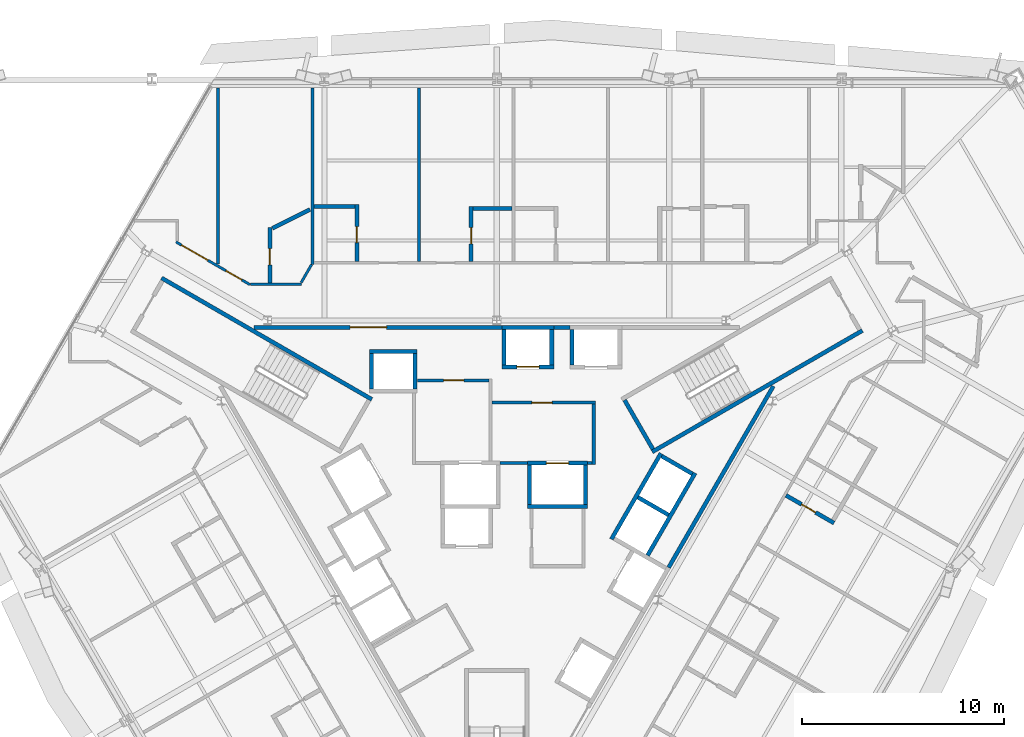
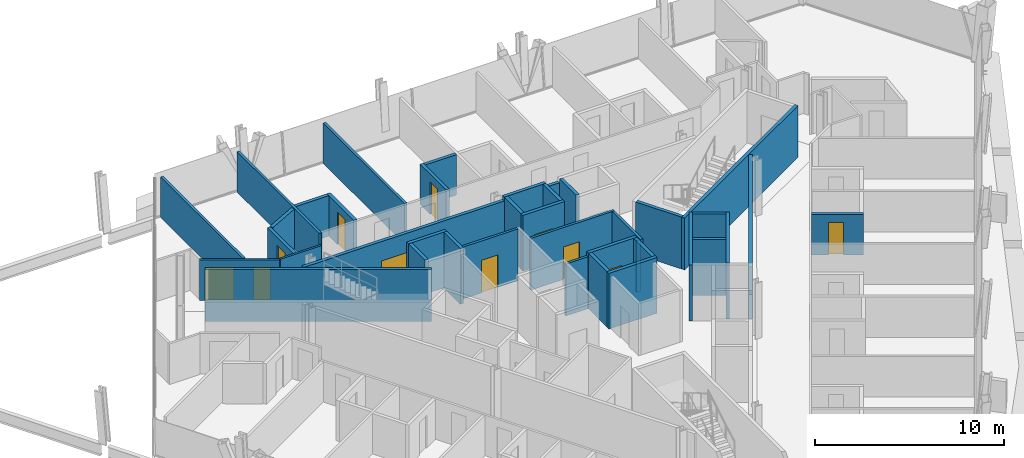
# One storey, part 13 of 17: 40 walls, 11 doors, 11 openings.
"""IFC4 building model written with IfcOpenShell, lengths in metres."""

from ifc_helpers import new_model, si_unit, direction, frame, frame_2d, origin, place, context, subcontext, project, spatial, rectangle, extrude, material, layer, layer_set, type_object, element, fill, save


model = new_model("IFC4")

# Units and contexts
model_context = context("Model", 3, precision=1e-05, world=origin(), true_north=direction((0.0, 1.0)))
body_context = subcontext(model_context, "Body", "Model", "MODEL_VIEW")
ifc_project = project(units=[si_unit("LENGTHUNIT", "METRE"), si_unit("AREAUNIT", "SQUARE_METRE"), si_unit("VOLUMEUNIT", "CUBIC_METRE"), si_unit("PLANEANGLEUNIT", "RADIAN"), si_unit("MASSUNIT", "GRAM", prefix="KILO")], contexts=[model_context])

# Site, building, storey
site_placement = place(None, origin())
site = spatial("IfcSite", under=ifc_project, at=site_placement, CompositionType="ELEMENT")
building_placement = place(site_placement, origin())
building = spatial("IfcBuilding", under=site, at=building_placement, Name="Verrane Prism Tower", CompositionType="ELEMENT")
storey_placement = place(building_placement, frame((0.0, 0.0, 62.0)))
storey = spatial("IfcBuildingStorey", under=building, at=storey_placement, Name="L13", CompositionType="ELEMENT", Elevation=62.0)

# Wall, opening, door
ifc_material_1 = material(Name="Gypsum board partition", Category="other")
ifc_layer_1 = layer(ifc_material_1, 0.199951171875)
ifc_layer_set_1 = layer_set([ifc_layer_1], Name="CW-200 core boundary wall 2 h")
wall_type_1 = type_object("IfcWallType", Name="CW-200 core boundary wall 2 h", PredefinedType="PARTITIONING", material=ifc_layer_set_1)
wall_1_placement = place(storey_placement, frame((0.262939453125, 8.860107421875, 0.0), z_axis=(0.0, 0.0, 1.0), x_axis=(-1.0, 0.0, 0.0)))
wall_1 = element("IfcWall", 1, at=wall_1_placement, inside=storey, type_object=wall_type_1, Name="Core boundary wall CW3-002", PredefinedType="PARTITIONING", context=body_context, shape_type="SweptSolid", body=[
    extrude(rectangle(XDim=12.25390625, YDim=0.199951171875, at=frame_2d((6.126953125, 0.0))), origin(), (0.0, 0.0, 1.0), 3.35009765625),
])
opening_1_placement = place(wall_1_placement, frame((5.708984375, 0.0, 0.0)))
opening_1 = element("IfcOpeningElement", 2, at=opening_1_placement, cuts=wall_1, Name="Opening D12511", PredefinedType="OPENING", context=body_context, shape_type="SweptSolid", body=[
    extrude(rectangle(XDim=1.800048828125, YDim=2.10009765625, at=frame_2d((0.89990234375, 1.050048828125))), frame((0.0, 0.10986328125, 0.0), z_axis=(0.0, -1.0, 0.0), x_axis=(1.0, 0.0, 0.0)), (0.0, 0.0, 1.0), 0.219970703125),
])
ifc_material_2 = material(Name="Timber veneered door leaf", Category="wood")
door_type_1 = type_object("IfcDoorType", Name="DR-1800x2100 FD60 double leaf lift lobby", OperationType="NOTDEFINED", PredefinedType="DOOR", material=ifc_material_2)
door_1_placement = place(opening_1_placement, origin())
door_1 = element("IfcDoor", 3, at=door_1_placement, inside=storey, type_object=door_type_1, Name="Lift lobby door D12511", OperationType="DOUBLE_DOOR_SINGLE_SWING", OverallHeight=2.10009765625, OverallWidth=1.800048828125, PredefinedType="DOOR", context=body_context, shape_type="SweptSolid", body=[
    extrude(rectangle(XDim=1.800048828125, YDim=2.10009765625, at=frame_2d((0.89990234375, 1.050048828125))), frame((0.0, 0.02490234375, 0.0), z_axis=(0.0, -1.0, 0.0), x_axis=(1.0, 0.0, 0.0)), (0.0, 0.0, 1.0), 0.050048828125),
])
fill(opening_1, door_1)

# Walls
wall_2_placement = place(storey_placement, frame((2.81689453125, 8.860107421875, 0.0), z_axis=(0.0, 0.0, 1.0), x_axis=(1.0, 0.0, 0.0)))
element("IfcWall", 4, at=wall_2_placement, inside=storey, type_object=wall_type_1, Name="Core boundary wall CW3-004", PredefinedType="PARTITIONING", context=body_context, shape_type="SweptSolid", body=[
    extrude(rectangle(XDim=0.80615234375, YDim=0.199951171875, at=frame_2d((0.403076171875, 0.0))), origin(), (0.0, 0.0, 1.0), 3.35009765625),
])
wall_3_placement = place(storey_placement, frame((8.491943359375, -3.011962890625, 0.0), z_axis=(0.0, 0.0, 1.0), x_axis=(0.499972957231, 0.866041016371, 0.0)))
element("IfcWall", 5, at=wall_3_placement, inside=storey, type_object=wall_type_1, Name="Core boundary wall CW3-007", PredefinedType="PARTITIONING", context=body_context, shape_type="SweptSolid", body=[
    extrude(rectangle(XDim=10.3486328125, YDim=0.199951171875, at=frame_2d((5.17431640625, 0.0))), origin(), (0.0, 0.0, 1.0), 3.35009765625),
])
ifc_material_3 = material(Name="Concrete C40/50", Category="concrete")
ifc_layer_2 = layer(ifc_material_3, 0.199951171875)
ifc_layer_set_2 = layer_set([ifc_layer_2], Name="CW-200 stair core wall concrete C40/50 3 h")
wall_type_2 = type_object("IfcWallType", Name="CW-200 stair core wall concrete C40/50 3 h", PredefinedType="PARTITIONING", material=ifc_layer_set_2)
wall_4_placement = place(storey_placement, frame((7.67822265625, 2.700927734375, 0.0), z_axis=(0.0, 0.0, 1.0), x_axis=(0.866026010844, 0.49999894854, 0.0)))
element("IfcWall", 6, at=wall_4_placement, inside=storey, type_object=wall_type_2, Name="Stair 1 enclosure wall", PredefinedType="PARTITIONING", context=body_context, shape_type="SweptSolid", body=[
    extrude(rectangle(XDim=12.0, YDim=0.199951171875, at=frame_2d((6.0, 0.0))), origin(), (0.0, 0.0, 1.0), 3.35009765625),
])
wall_5_placement = place(storey_placement, frame((7.71484375, 2.837646484375, 0.0), z_axis=(0.0, 0.0, 1.0), x_axis=(-0.500049511043, 0.865996816683, 0.0)))
element("IfcWall", 7, at=wall_5_placement, inside=storey, type_object=wall_type_2, Name="Stair 1 enclosure wall", PredefinedType="PARTITIONING", context=body_context, shape_type="SweptSolid", body=[
    extrude(rectangle(XDim=2.800048828125, YDim=0.199951171875, at=frame_2d((1.39990234375, 0.0))), origin(), (0.0, 0.0, 1.0), 3.35009765625),
])
wall_6_placement = place(storey_placement, frame((-6.17822265625, 5.299072265625, 0.0), z_axis=(0.0, 0.0, 1.0), x_axis=(-0.866026010844, 0.49999894854, 0.0)))
element("IfcWall", 8, at=wall_6_placement, inside=storey, type_object=wall_type_2, Name="Stair 2 enclosure wall", PredefinedType="PARTITIONING", context=body_context, shape_type="SweptSolid", body=[
    extrude(rectangle(XDim=12.0, YDim=0.199951171875, at=frame_2d((6.0, 0.0))), origin(), (0.0, 0.0, 1.0), 3.35009765625),
])
ifc_material_4 = material(Name="Gypsum board shaft wall assembly", Category="other")
ifc_layer_3 = layer(ifc_material_4, 0.199951171875)
ifc_layer_set_3 = layer_set([ifc_layer_3], Name="HW-200 lift shaft wall 2 h")
wall_type_3 = type_object("IfcWallType", Name="HW-200 lift shaft wall 2 h", PredefinedType="PARTITIONING", material=ifc_layer_set_3)
wall_7_placement = place(storey_placement, frame((1.52490234375, 0.0, 0.0), z_axis=(0.0, 0.0, 1.0), x_axis=(1.0, 0.0, 0.0)))
element("IfcWall", 9, at=wall_7_placement, inside=storey, type_object=wall_type_3, Name="Lift shaft wall", PredefinedType="PARTITIONING", context=body_context, shape_type="SweptSolid", body=[
    extrude(rectangle(XDim=2.9501953125, YDim=0.199951171875, at=frame_2d((1.47509765625, 0.0))), origin(), (0.0, 0.0, 1.0), 3.60009765625),
])

# Wall, opening, door
wall_8_placement = place(storey_placement, frame((1.52490234375, 2.14990234375, 0.0), z_axis=(0.0, 0.0, 1.0), x_axis=(1.0, 0.0, 0.0)))
wall_8 = element("IfcWall", 10, at=wall_8_placement, inside=storey, type_object=wall_type_3, Name="Lift shaft wall", PredefinedType="PARTITIONING", context=body_context, shape_type="SweptSolid", body=[
    extrude(rectangle(XDim=2.9501953125, YDim=0.199951171875, at=frame_2d((1.47509765625, 0.0))), origin(), (0.0, 0.0, 1.0), 3.60009765625),
])
opening_2_placement = place(wall_8_placement, frame((0.925048828125, 0.0, 0.0)))
opening_2 = element("IfcOpeningElement", 11, at=opening_2_placement, cuts=wall_8, Name="Opening D12509", PredefinedType="OPENING", context=body_context, shape_type="SweptSolid", body=[
    extrude(rectangle(XDim=1.10009765625, YDim=2.10009765625, at=frame_2d((0.550048828125, 1.050048828125))), frame((0.0, 0.10986328125, 0.0), z_axis=(0.0, -1.0, 0.0), x_axis=(1.0, 0.0, 0.0)), (0.0, 0.0, 1.0), 0.219970703125),
])
ifc_material_5 = material(Name="Stainless steel sliding landing door", Category="steel")
door_type_2 = type_object("IfcDoorType", Name="LD-1100x2100 lift landing door FD90 sliding", OperationType="NOTDEFINED", PredefinedType="DOOR", material=ifc_material_5)
door_2_placement = place(opening_2_placement, origin())
door_2 = element("IfcDoor", 12, at=door_2_placement, inside=storey, type_object=door_type_2, Name="Fire service lift 2 landing door", OperationType="SLIDING_TO_RIGHT", OverallHeight=2.10009765625, OverallWidth=1.10009765625, PredefinedType="DOOR", context=body_context, shape_type="SweptSolid", body=[
    extrude(rectangle(XDim=1.10009765625, YDim=2.10009765625, at=frame_2d((0.550048828125, 1.050048828125))), frame((0.0, 0.02490234375, 0.0), z_axis=(0.0, -1.0, 0.0), x_axis=(1.0, 0.0, 0.0)), (0.0, 0.0, 1.0), 0.050048828125),
])
fill(opening_2, door_2)

wall_9_placement = place(storey_placement, frame((0.264892578125, 6.909912109375, 0.0), z_axis=(0.0, 0.0, 1.0), x_axis=(1.0, 0.0, 0.0)))
wall_9 = element("IfcWall", 13, at=wall_9_placement, inside=storey, type_object=wall_type_3, Name="Lift shaft wall", PredefinedType="PARTITIONING", context=body_context, shape_type="SweptSolid", body=[
    extrude(rectangle(XDim=2.550048828125, YDim=0.199951171875, at=frame_2d((1.27490234375, 0.0))), origin(), (0.0, 0.0, 1.0), 3.60009765625),
])
opening_3_placement = place(wall_9_placement, frame((0.72509765625, 0.0, 0.0)))
opening_3 = element("IfcOpeningElement", 14, at=opening_3_placement, cuts=wall_9, Name="Opening D12503", PredefinedType="OPENING", context=body_context, shape_type="SweptSolid", body=[
    extrude(rectangle(XDim=1.10009765625, YDim=2.10009765625, at=frame_2d((0.550048828125, 1.050048828125))), frame((0.0, 0.10986328125, 0.0), z_axis=(0.0, -1.0, 0.0), x_axis=(1.0, 0.0, 0.0)), (0.0, 0.0, 1.0), 0.219970703125),
])
door_3_placement = place(opening_3_placement, origin())
door_3 = element("IfcDoor", 15, at=door_3_placement, inside=storey, type_object=door_type_2, Name="Bank A lift 1 landing door", OperationType="SLIDING_TO_LEFT", OverallHeight=2.10009765625, OverallWidth=1.10009765625, PredefinedType="DOOR", context=body_context, shape_type="SweptSolid", body=[
    extrude(rectangle(XDim=1.10009765625, YDim=2.10009765625, at=frame_2d((0.550048828125, 1.050048828125))), frame((0.0, 0.02490234375, 0.0), z_axis=(0.0, -1.0, 0.0), x_axis=(1.0, 0.0, 0.0)), (0.0, 0.0, 1.0), 0.050048828125),
])
fill(opening_3, door_3)

# Walls
wall_10_placement = place(storey_placement, frame((-6.284912109375, 7.659912109375, 0.0), z_axis=(0.0, 0.0, 1.0), x_axis=(1.0, 0.0, 0.0)))
element("IfcWall", 16, at=wall_10_placement, inside=storey, type_object=wall_type_3, Name="Lift shaft wall", PredefinedType="PARTITIONING", context=body_context, shape_type="SweptSolid", body=[
    extrude(rectangle(XDim=2.349853515625, YDim=0.199951171875, at=frame_2d((1.1748046875, 0.0))), origin(), (0.0, 0.0, 1.0), 3.60009765625),
])
wall_11_placement = place(storey_placement, frame((0.264892578125, 8.860107421875, 0.0), z_axis=(0.0, 0.0, 1.0), x_axis=(1.0, 0.0, 0.0)))
element("IfcWall", 17, at=wall_11_placement, inside=storey, type_object=wall_type_3, Name="Lift shaft wall", PredefinedType="PARTITIONING", context=body_context, shape_type="SweptSolid", body=[
    extrude(rectangle(XDim=2.550048828125, YDim=0.199951171875, at=frame_2d((1.27490234375, 0.0))), origin(), (0.0, 0.0, 1.0), 3.60009765625),
])
wall_12_placement = place(storey_placement, frame((7.451171875, -2.4140625, 0.0), z_axis=(0.0, 0.0, 1.0), x_axis=(0.500016218704, 0.866016039709, 0.0)))
element("IfcWall", 18, at=wall_12_placement, inside=storey, type_object=wall_type_3, Name="Lift shaft wall", PredefinedType="PARTITIONING", context=body_context, shape_type="SweptSolid", body=[
    extrude(rectangle(XDim=4.699951171875, YDim=0.199951171875, at=frame_2d((2.35009765625, 0.0))), origin(), (0.0, 0.0, 1.0), 3.60009765625),
])
wall_13_placement = place(storey_placement, frame((5.66259765625, -1.6123046875, 0.0), z_axis=(0.0, 0.0, 1.0), x_axis=(0.49998122708, 0.866036242063, 0.0)))
element("IfcWall", 19, at=wall_13_placement, inside=storey, type_object=wall_type_3, Name="Lift shaft wall", PredefinedType="PARTITIONING", context=body_context, shape_type="SweptSolid", body=[
    extrude(rectangle(XDim=4.900146484375, YDim=0.199951171875, at=frame_2d((2.4501953125, 0.0))), origin(), (0.0, 0.0, 1.0), 3.60009765625),
])
wall_14_placement = place(storey_placement, frame((4.375, 0.10009765625, 0.0), z_axis=(0.0, 0.0, 1.0), x_axis=(0.0, 1.0, 0.0)))
element("IfcWall", 20, at=wall_14_placement, inside=storey, type_object=wall_type_3, Name="Lift shaft wall", PredefinedType="PARTITIONING", context=body_context, shape_type="SweptSolid", body=[
    extrude(rectangle(XDim=1.949951171875, YDim=0.199951171875, at=frame_2d((0.97509765625, 0.0))), origin(), (0.0, 0.0, 1.0), 3.60009765625),
])
for number, where, z_axis, x_axis, name in (
    (21, (3.72509765625, 7.010009765625, 0.0), (0.0, 0.0, 1.0), (0.0, 1.0, 0.0), "Lift shaft wall"),
    (22, (2.715087890625, 7.010009765625, 0.0), (0.0, 0.0, 1.0), (0.0, 1.0, 0.0), "Lift shaft wall"),
):
    element("IfcWall", number, at=place(storey_placement, frame(where, z_axis=z_axis, x_axis=x_axis)), inside=storey, type_object=wall_type_3, Name=name, PredefinedType="PARTITIONING", context=body_context, shape_type="SweptSolid", body=[
        extrude(rectangle(XDim=1.75, YDim=0.199951171875, at=frame_2d((0.875, 0.0))), origin(), (0.0, 0.0, 1.0), 3.60009765625),
    ])
wall_15_placement = place(storey_placement, frame((1.625, 0.10009765625, 0.0), z_axis=(0.0, 0.0, 1.0), x_axis=(0.0, 1.0, 0.0)))
element("IfcWall", 23, at=wall_15_placement, inside=storey, type_object=wall_type_3, Name="Lift shaft wall", PredefinedType="PARTITIONING", context=body_context, shape_type="SweptSolid", body=[
    extrude(rectangle(XDim=1.949951171875, YDim=0.199951171875, at=frame_2d((0.97509765625, 0.0))), origin(), (0.0, 0.0, 1.0), 3.60009765625),
])
for number, where, z_axis, x_axis, name in (
    (24, (0.364990234375, 7.010009765625, 0.0), (0.0, 0.0, 1.0), (0.0, 1.0, 0.0), "Lift shaft wall"),
    (25, (-4.034912109375, 5.81005859375, 0.0), (0.0, 0.0, 1.0), (0.0, 1.0, 0.0), "Lift shaft wall"),
    (26, (-6.18505859375, 5.81005859375, 0.0), (0.0, 0.0, 1.0), (0.0, 1.0, 0.0), "Lift shaft wall"),
):
    element("IfcWall", number, at=place(storey_placement, frame(where, z_axis=z_axis, x_axis=x_axis)), inside=storey, type_object=wall_type_3, Name=name, PredefinedType="PARTITIONING", context=body_context, shape_type="SweptSolid", body=[
        extrude(rectangle(XDim=1.75, YDim=0.199951171875, at=frame_2d((0.875, 0.0))), origin(), (0.0, 0.0, 1.0), 3.60009765625),
    ])
wall_16_placement = place(storey_placement, frame((9.66455078125, 1.61962890625, 0.0), z_axis=(0.0, 0.0, 1.0), x_axis=(-0.866002029911, 0.500040482552, 0.0)))
element("IfcWall", 27, at=wall_16_placement, inside=storey, type_object=wall_type_3, Name="Lift shaft wall", PredefinedType="PARTITIONING", context=body_context, shape_type="SweptSolid", body=[
    extrude(rectangle(XDim=1.749755859375, YDim=0.199951171875, at=frame_2d((0.875, 0.0))), origin(), (0.0, 0.0, 1.0), 3.60009765625),
])
wall_17_placement = place(storey_placement, frame((8.48974609375, -0.41552734375, 0.0), z_axis=(0.0, 0.0, 1.0), x_axis=(-0.866036909293, 0.499980071345, 0.0)))
element("IfcWall", 28, at=wall_17_placement, inside=storey, type_object=wall_type_3, Name="Lift shaft wall", PredefinedType="PARTITIONING", context=body_context, shape_type="SweptSolid", body=[
    extrude(rectangle(XDim=1.75, YDim=0.199951171875, at=frame_2d((0.875, 0.0))), origin(), (0.0, 0.0, 1.0), 3.60009765625),
])

# Wall, opening, door
ifc_material_6 = material(Name="Gypsum board partition", Category="other")
ifc_layer_4 = layer(ifc_material_6, 0.14990234375)
ifc_layer_set_4 = layer_set([ifc_layer_4], Name="LF-150 firefighting lobby wall 1 h")
wall_type_4 = type_object("IfcWallType", Name="LF-150 firefighting lobby wall 1 h", PredefinedType="PARTITIONING", material=ifc_layer_set_4)
wall_18_placement = place(storey_placement, frame((-3.93310546875, 6.239990234375, 0.0), z_axis=(0.0, 0.0, 1.0), x_axis=(1.0, 0.0, 0.0)))
wall_18 = element("IfcWall", 29, at=wall_18_placement, inside=storey, type_object=wall_type_4, Name="Firefighting lobby wall LF1-003", PredefinedType="PARTITIONING", context=body_context, shape_type="SweptSolid", body=[
    extrude(rectangle(XDim=3.5380859375, YDim=0.14990234375, at=frame_2d((1.76904296875, 0.0))), origin(), (0.0, 0.0, 1.0), 3.35009765625),
])
opening_4_placement = place(wall_18_placement, frame((1.300048828125, 0.0, 0.0)))
opening_4 = element("IfcOpeningElement", 30, at=opening_4_placement, cuts=wall_18, Name="Opening D12515", PredefinedType="OPENING", context=body_context, shape_type="SweptSolid", body=[
    extrude(rectangle(XDim=1.0, YDim=2.10009765625, at=frame_2d((0.5, 1.050048828125))), frame((0.0, 0.0849609375, 0.0), z_axis=(0.0, -1.0, 0.0), x_axis=(1.0, 0.0, 0.0)), (0.0, 0.0, 1.0), 0.169921875),
])
ifc_material_7 = material(Name="Timber veneered door leaf", Category="wood")
door_type_3 = type_object("IfcDoorType", Name="DR-1000x2100 FD60 single leaf firefighting lobby", OperationType="NOTDEFINED", PredefinedType="DOOR", material=ifc_material_7)
door_4_placement = place(opening_4_placement, origin())
door_4 = element("IfcDoor", 31, at=door_4_placement, inside=storey, type_object=door_type_3, Name="Firefighting lobby door D12515", OperationType="SINGLE_SWING_LEFT", OverallHeight=2.10009765625, OverallWidth=1.0, PredefinedType="DOOR", context=body_context, shape_type="SweptSolid", body=[
    extrude(rectangle(XDim=1.0, YDim=2.10009765625, at=frame_2d((0.5, 1.050048828125))), frame((0.0, 0.02490234375, 0.0), z_axis=(0.0, -1.0, 0.0), x_axis=(1.0, 0.0, 0.0)), (0.0, 0.0, 1.0), 0.050048828125),
])
fill(opening_4, door_4)

wall_19_placement = place(storey_placement, frame((-0.2451171875, 5.139892578125, 0.0), z_axis=(0.0, 0.0, 1.0), x_axis=(1.0, 0.0, 0.0)))
wall_19 = element("IfcWall", 32, at=wall_19_placement, inside=storey, type_object=wall_type_4, Name="Firefighting lobby wall LF1-005", PredefinedType="PARTITIONING", context=body_context, shape_type="SweptSolid", body=[
    extrude(rectangle(XDim=5.110107421875, YDim=0.14990234375, at=frame_2d((2.55517578125, 0.0))), origin(), (0.0, 0.0, 1.0), 3.35009765625),
])
opening_5_placement = place(wall_19_placement, frame((1.97509765625, 0.0, 0.0)))
opening_5 = element("IfcOpeningElement", 33, at=opening_5_placement, cuts=wall_19, Name="Opening D12516", PredefinedType="OPENING", context=body_context, shape_type="SweptSolid", body=[
    extrude(rectangle(XDim=1.0, YDim=2.10009765625, at=frame_2d((0.5, 1.050048828125))), frame((0.0, 0.0849609375, 0.0), z_axis=(0.0, -1.0, 0.0), x_axis=(1.0, 0.0, 0.0)), (0.0, 0.0, 1.0), 0.169921875),
])
door_5_placement = place(opening_5_placement, origin())
door_5 = element("IfcDoor", 34, at=door_5_placement, inside=storey, type_object=door_type_3, Name="Firefighting lobby door D12516", OperationType="SINGLE_SWING_RIGHT", OverallHeight=2.10009765625, OverallWidth=1.0, PredefinedType="DOOR", context=body_context, shape_type="SweptSolid", body=[
    extrude(rectangle(XDim=1.0, YDim=2.10009765625, at=frame_2d((0.5, 1.050048828125))), frame((0.0, 0.02490234375, 0.0), z_axis=(0.0, -1.0, 0.0), x_axis=(1.0, 0.0, 0.0)), (0.0, 0.0, 1.0), 0.050048828125),
])
fill(opening_5, door_5)

# Walls
wall_20_placement = place(storey_placement, frame((0.1669921875, 2.159912109375, 0.0), z_axis=(0.0, 0.0, 1.0), x_axis=(1.0, 0.0, 0.0)))
element("IfcWall", 35, at=wall_20_placement, inside=storey, type_object=wall_type_4, Name="Firefighting lobby wall LF1-006", PredefinedType="PARTITIONING", context=body_context, shape_type="SweptSolid", body=[
    extrude(rectangle(XDim=1.35595703125, YDim=0.14990234375, at=frame_2d((0.677978515625, 0.0))), origin(), (0.0, 0.0, 1.0), 3.35009765625),
])
wall_21_placement = place(storey_placement, frame((4.47705078125, 2.159912109375, 0.0), z_axis=(0.0, 0.0, 1.0), x_axis=(1.0, 0.0, 0.0)))
element("IfcWall", 36, at=wall_21_placement, inside=storey, type_object=wall_type_4, Name="Firefighting lobby wall LF1-007", PredefinedType="PARTITIONING", context=body_context, shape_type="SweptSolid", body=[
    extrude(rectangle(XDim=0.238037109375, YDim=0.14990234375, at=frame_2d((0.119140625, 0.0))), origin(), (0.0, 0.0, 1.0), 3.35009765625),
])
wall_22_placement = place(storey_placement, frame((4.7900390625, 2.0849609375, 0.0), z_axis=(0.0, 0.0, 1.0), x_axis=(0.0, 1.0, 0.0)))
element("IfcWall", 37, at=wall_22_placement, inside=storey, type_object=wall_type_4, Name="Firefighting lobby wall LF1-008", PredefinedType="PARTITIONING", context=body_context, shape_type="SweptSolid", body=[
    extrude(rectangle(XDim=2.97998046875, YDim=0.14990234375, at=frame_2d((1.489990234375, 0.0))), origin(), (0.0, 0.0, 1.0), 3.35009765625),
])

# Wall, openings, doors
ifc_material_8 = material(Name="Gypsum board partition", Category="other")
ifc_layer_5 = layer(ifc_material_8, 0.125)
ifc_layer_set_5 = layer_set([ifc_layer_5], Name="PW-125 corridor wall 1 h")
wall_type_5 = type_object("IfcWallType", Name="PW-125 corridor wall 1 h", PredefinedType="PARTITIONING", material=ifc_layer_set_5)
wall_23_placement = place(storey_placement, frame((-15.857177734375, 13.081298828125, 0.0), z_axis=(0.0, 0.0, 1.0), x_axis=(0.865975760249, -0.500085975269, 0.0)))
wall_23 = element("IfcWall", 38, at=wall_23_placement, inside=storey, type_object=wall_type_5, Name="Corridor wall 014", PredefinedType="PARTITIONING", context=body_context, shape_type="SweptSolid", body=[
    extrude(rectangle(XDim=4.224365234375, YDim=0.125, at=frame_2d((2.1123046875, 0.0))), origin(), (0.0, 0.0, 1.0), 2.613037109375),
])
opening_6_placement = place(wall_23_placement, frame((2.8525390625, 0.0, 0.0)))
opening_6 = element("IfcOpeningElement", 39, at=opening_6_placement, cuts=wall_23, Name="Opening D12013", PredefinedType="OPENING", context=body_context, shape_type="SweptSolid", body=[
    extrude(rectangle(XDim=0.89990234375, YDim=2.10009765625, at=frame_2d((0.449951171875, 1.050048828125))), frame((0.0, 0.072509765625, 0.0), z_axis=(0.0, -1.0, 0.0), x_axis=(1.0, 0.0, 0.0)), (0.0, 0.0, 1.0), 0.14501953125),
])
opening_7_placement = place(wall_23_placement, frame((0.3125, 0.0, 0.0)))
opening_7 = element("IfcOpeningElement", 40, at=opening_7_placement, cuts=wall_23, Name="Opening D12044", PredefinedType="OPENING", context=body_context, shape_type="SweptSolid", body=[
    extrude(rectangle(XDim=1.5, YDim=2.10009765625, at=frame_2d((0.75, 1.050048828125))), frame((0.0, 0.072509765625, 0.0), z_axis=(0.0, -1.0, 0.0), x_axis=(1.0, 0.0, 0.0)), (0.0, 0.0, 1.0), 0.14501953125),
])
ifc_material_9 = material(Name="Timber veneered door leaf", Category="wood")
door_type_4 = type_object("IfcDoorType", Name="DR-1500x2100 FD20 double leaf public", OperationType="NOTDEFINED", PredefinedType="DOOR", material=ifc_material_9)
door_6_placement = place(opening_7_placement, origin())
door_6 = element("IfcDoor", 41, at=door_6_placement, inside=storey, type_object=door_type_4, Name="Sky Garden Lounge door", OperationType="DOUBLE_DOOR_SINGLE_SWING", OverallHeight=2.10009765625, OverallWidth=1.5, PredefinedType="DOOR", context=body_context, shape_type="SweptSolid", body=[
    extrude(rectangle(XDim=1.5, YDim=2.10009765625, at=frame_2d((0.75, 1.050048828125))), frame((0.0, 0.02490234375, 0.0), z_axis=(0.0, -1.0, 0.0), x_axis=(1.0, 0.0, 0.0)), (0.0, 0.0, 1.0), 0.050048828125),
])
fill(opening_7, door_6)
ifc_material_10 = material(Name="Timber veneered door leaf", Category="wood")
door_type_5 = type_object("IfcDoorType", Name="DR-900x2100 FD20 single leaf unit", OperationType="NOTDEFINED", PredefinedType="DOOR", material=ifc_material_10)
door_7_placement = place(opening_6_placement, origin())
door_7 = element("IfcDoor", 42, at=door_7_placement, inside=storey, type_object=door_type_5, Name="Guest Room door", OperationType="SINGLE_SWING_LEFT", OverallHeight=2.10009765625, OverallWidth=0.89990234375, PredefinedType="DOOR", context=body_context, shape_type="SweptSolid", body=[
    extrude(rectangle(XDim=0.89990234375, YDim=2.10009765625, at=frame_2d((0.449951171875, 1.050048828125))), frame((0.0, 0.02490234375, 0.0), z_axis=(0.0, -1.0, 0.0), x_axis=(1.0, 0.0, 0.0)), (0.0, 0.0, 1.0), 0.050048828125),
])
fill(opening_6, door_7)

# Walls
wall_24_placement = place(storey_placement, frame((-12.16796875, 11.0, 0.0), z_axis=(0.0, 0.0, 1.0), x_axis=(1.0, 0.0, 0.0)))
element("IfcWall", 43, at=wall_24_placement, inside=storey, type_object=wall_type_5, Name="Corridor wall 023", PredefinedType="PARTITIONING", context=body_context, shape_type="SweptSolid", body=[
    extrude(rectangle(XDim=2.5185546875, YDim=0.125, at=frame_2d((1.25927734375, 0.0))), origin(), (0.0, 0.0, 1.0), 2.613037109375),
])
wall_25_placement = place(storey_placement, frame((-9.66943359375, 11.073486328125, 0.0), z_axis=(0.0, 0.0, 1.0), x_axis=(0.499956128963, 0.866050731258, 0.0)))
element("IfcWall", 44, at=wall_25_placement, inside=storey, type_object=wall_type_5, Name="Corridor wall 030", PredefinedType="PARTITIONING", context=body_context, shape_type="SweptSolid", body=[
    extrude(rectangle(XDim=1.02490234375, YDim=0.125, at=frame_2d((0.512451171875, 0.0))), origin(), (0.0, 0.0, 1.0), 2.613037109375),
])
ifc_material_11 = material(Name="Gypsum board partition", Category="other")
ifc_layer_6 = layer(ifc_material_11, 0.14990234375)
ifc_layer_set_6 = layer_set([ifc_layer_6], Name="PW-150 demising wall 1 h")
wall_type_6 = type_object("IfcWallType", Name="PW-150 demising wall 1 h", PredefinedType="PARTITIONING", material=ifc_layer_set_6)
wall_26_placement = place(storey_placement, frame((-13.77587890625, 11.995361328125, 0.0), z_axis=(0.0, 0.0, 1.0), x_axis=(0.0, 1.0, 0.0)))
element("IfcWall", 45, at=wall_26_placement, inside=storey, type_object=wall_type_6, Name="Demising wall 021", PredefinedType="PARTITIONING", context=body_context, shape_type="SweptSolid", body=[
    extrude(rectangle(XDim=8.69970703125, YDim=0.14990234375, at=frame_2d((4.349853515625, 0.0))), origin(), (0.0, 0.0, 1.0), 2.613037109375),
])
wall_27_placement = place(storey_placement, frame((-9.112060546875, 11.9765625, 0.0), z_axis=(0.0, 0.0, 1.0), x_axis=(0.0, 1.0, 0.0)))
element("IfcWall", 46, at=wall_27_placement, inside=storey, type_object=wall_type_6, Name="Demising wall 031", PredefinedType="PARTITIONING", context=body_context, shape_type="SweptSolid", body=[
    extrude(rectangle(XDim=8.718505859375, YDim=0.14990234375, at=frame_2d((4.359375, 0.0))), origin(), (0.0, 0.0, 1.0), 2.613037109375),
])
wall_28_placement = place(storey_placement, frame((-3.840087890625, 12.103515625, 0.0), z_axis=(0.0, 0.0, 1.0), x_axis=(0.0, 1.0, 0.0)))
element("IfcWall", 47, at=wall_28_placement, inside=storey, type_object=wall_type_6, Name="Demising wall 040", PredefinedType="PARTITIONING", context=body_context, shape_type="SweptSolid", body=[
    extrude(rectangle(XDim=8.591552734375, YDim=0.14990234375, at=frame_2d((4.2958984375, 0.0))), origin(), (0.0, 0.0, 1.0), 2.613037109375),
])

# Wall, opening, door
ifc_material_12 = material(Name="Gypsum board partition", Category="other")
ifc_layer_7 = layer(ifc_material_12, 0.199951171875)
ifc_layer_set_7 = layer_set([ifc_layer_7], Name="PW-200 plumbing wall")
wall_type_7 = type_object("IfcWallType", Name="PW-200 plumbing wall", PredefinedType="PARTITIONING", material=ifc_layer_set_7)
wall_29_placement = place(storey_placement, frame((-11.2119140625, 13.800048828125, 0.0), z_axis=(0.0, 0.0, 1.0), x_axis=(0.0, -1.0, 0.0)))
wall_29 = element("IfcWall", 48, at=wall_29_placement, inside=storey, type_object=wall_type_7, Name="Plumbing wall 024", PredefinedType="PARTITIONING", context=body_context, shape_type="SweptSolid", body=[
    extrude(rectangle(XDim=2.737548828125, YDim=0.199951171875, at=frame_2d((1.36865234375, 0.0))), origin(), (0.0, 0.0, 1.0), 2.613037109375),
])
opening_8_placement = place(wall_29_placement, frame((1.050048828125, 0.0, 0.0)))
opening_8 = element("IfcOpeningElement", 49, at=opening_8_placement, cuts=wall_29, Name="Opening D12014", PredefinedType="OPENING", context=body_context, shape_type="SweptSolid", body=[
    extrude(rectangle(XDim=0.800048828125, YDim=2.10009765625, at=frame_2d((0.39990234375, 1.050048828125))), frame((0.0, 0.10986328125, 0.0), z_axis=(0.0, -1.0, 0.0), x_axis=(1.0, 0.0, 0.0)), (0.0, 0.0, 1.0), 0.219970703125),
])
ifc_material_13 = material(Name="Timber veneered door leaf", Category="wood")
door_type_6 = type_object("IfcDoorType", Name="DR-800x2100 single leaf bath", OperationType="NOTDEFINED", PredefinedType="DOOR", material=ifc_material_13)
door_8_placement = place(opening_8_placement, origin())
door_8 = element("IfcDoor", 50, at=door_8_placement, inside=storey, type_object=door_type_6, Name="En-Suite door", OperationType="SINGLE_SWING_LEFT", OverallHeight=2.10009765625, OverallWidth=0.800048828125, PredefinedType="DOOR", context=body_context, shape_type="SweptSolid", body=[
    extrude(rectangle(XDim=0.800048828125, YDim=2.10009765625, at=frame_2d((0.39990234375, 1.050048828125))), frame((0.0, 0.02490234375, 0.0), z_axis=(0.0, -1.0, 0.0), x_axis=(1.0, 0.0, 0.0)), (0.0, 0.0, 1.0), 0.050048828125),
])
fill(opening_8, door_8)

# Walls
wall_30_placement = place(storey_placement, frame((-11.091064453125, 13.760009765625, 0.0), z_axis=(0.0, 0.0, 1.0), x_axis=(0.896138280183, 0.443774923572, 0.0)))
element("IfcWall", 51, at=wall_30_placement, inside=storey, type_object=wall_type_7, Name="Plumbing wall 025", PredefinedType="PARTITIONING", context=body_context, shape_type="SweptSolid", body=[
    extrude(rectangle(XDim=2.0751953125, YDim=0.199951171875, at=frame_2d((1.03759765625, 0.0))), origin(), (0.0, 0.0, 1.0), 2.613037109375),
])
wall_31_placement = place(storey_placement, frame((-9.036865234375, 14.840087890625, 0.0), z_axis=(0.0, 0.0, 1.0), x_axis=(0.999999883705, 0.000482276288, 0.0)))
element("IfcWall", 52, at=wall_31_placement, inside=storey, type_object=wall_type_7, Name="Plumbing wall 032", PredefinedType="PARTITIONING", context=body_context, shape_type="SweptSolid", body=[
    extrude(rectangle(XDim=2.02490234375, YDim=0.199951171875, at=frame_2d((1.012451171875, 0.0))), origin(), (0.0, 0.0, 1.0), 2.613037109375),
])

# Wall, opening, door
wall_32_placement = place(storey_placement, frame((-6.912109375, 12.103515625, 0.0), z_axis=(0.0, 0.0, 1.0), x_axis=(0.0, 1.0, 0.0)))
wall_32 = element("IfcWall", 53, at=wall_32_placement, inside=storey, type_object=wall_type_7, Name="Plumbing wall 035", PredefinedType="PARTITIONING", context=body_context, shape_type="SweptSolid", body=[
    extrude(rectangle(XDim=2.83740234375, YDim=0.199951171875, at=frame_2d((1.418701171875, 0.0))), origin(), (0.0, 0.0, 1.0), 2.613037109375),
])
opening_9_placement = place(wall_32_placement, frame((0.9375, 0.0, 0.0)))
opening_9 = element("IfcOpeningElement", 54, at=opening_9_placement, cuts=wall_32, Name="Opening D12012", PredefinedType="OPENING", context=body_context, shape_type="SweptSolid", body=[
    extrude(rectangle(XDim=0.800048828125, YDim=2.10009765625, at=frame_2d((0.39990234375, 1.050048828125))), frame((0.0, 0.10986328125, 0.0), z_axis=(0.0, -1.0, 0.0), x_axis=(1.0, 0.0, 0.0)), (0.0, 0.0, 1.0), 0.219970703125),
])
door_9_placement = place(opening_9_placement, origin())
door_9 = element("IfcDoor", 55, at=door_9_placement, inside=storey, type_object=door_type_6, Name="En-Suite door", OperationType="SINGLE_SWING_RIGHT", OverallHeight=2.10009765625, OverallWidth=0.800048828125, PredefinedType="DOOR", context=body_context, shape_type="SweptSolid", body=[
    extrude(rectangle(XDim=0.800048828125, YDim=2.10009765625, at=frame_2d((0.39990234375, 1.050048828125))), frame((0.0, 0.02490234375, 0.0), z_axis=(0.0, -1.0, 0.0), x_axis=(1.0, 0.0, 0.0)), (0.0, 0.0, 1.0), 0.050048828125),
])
fill(opening_9, door_9)

wall_33_placement = place(storey_placement, frame((-1.27587890625, 14.841064453125, 0.0), z_axis=(0.0, 0.0, 1.0), x_axis=(0.0, -1.0, 0.0)))
wall_33 = element("IfcWall", 56, at=wall_33_placement, inside=storey, type_object=wall_type_7, Name="Plumbing wall 043", PredefinedType="PARTITIONING", context=body_context, shape_type="SweptSolid", body=[
    extrude(rectangle(XDim=2.737548828125, YDim=0.199951171875, at=frame_2d((1.36865234375, 0.0))), origin(), (0.0, 0.0, 1.0), 2.613037109375),
])
opening_10_placement = place(wall_33_placement, frame((1.050048828125, 0.0, 0.0)))
opening_10 = element("IfcOpeningElement", 57, at=opening_10_placement, cuts=wall_33, Name="Opening D12010", PredefinedType="OPENING", context=body_context, shape_type="SweptSolid", body=[
    extrude(rectangle(XDim=0.800048828125, YDim=2.10009765625, at=frame_2d((0.39990234375, 1.050048828125))), frame((0.0, 0.10986328125, 0.0), z_axis=(0.0, -1.0, 0.0), x_axis=(1.0, 0.0, 0.0)), (0.0, 0.0, 1.0), 0.219970703125),
])
door_10_placement = place(opening_10_placement, origin())
door_10 = element("IfcDoor", 58, at=door_10_placement, inside=storey, type_object=door_type_6, Name="En-Suite door", OperationType="SINGLE_SWING_LEFT", OverallHeight=2.10009765625, OverallWidth=0.800048828125, PredefinedType="DOOR", context=body_context, shape_type="SweptSolid", body=[
    extrude(rectangle(XDim=0.800048828125, YDim=2.10009765625, at=frame_2d((0.39990234375, 1.050048828125))), frame((0.0, 0.02490234375, 0.0), z_axis=(0.0, -1.0, 0.0), x_axis=(1.0, 0.0, 0.0)), (0.0, 0.0, 1.0), 0.050048828125),
])
fill(opening_10, door_10)

# Wall
wall_34_placement = place(storey_placement, frame((-1.176025390625, 14.740966796875, 0.0), z_axis=(0.0, 0.0, 1.0), x_axis=(1.0, 0.0, 0.0)))
element("IfcWall", 59, at=wall_34_placement, inside=storey, type_object=wall_type_7, Name="Plumbing wall 044", PredefinedType="PARTITIONING", context=body_context, shape_type="SweptSolid", body=[
    extrude(rectangle(XDim=1.919921875, YDim=0.199951171875, at=frame_2d((0.9599609375, 0.0))), origin(), (0.0, 0.0, 1.0), 2.613037109375),
])

# Wall, opening, door
wall_35_placement = place(storey_placement, frame((14.295166015625, 0.5537109375, 0.0), z_axis=(0.0, 0.0, 1.0), x_axis=(0.866095017657, -0.499879405846, 0.0)))
wall_35 = element("IfcWall", 60, at=wall_35_placement, inside=storey, type_object=wall_type_7, Name="Plumbing wall 074", PredefinedType="PARTITIONING", context=body_context, shape_type="SweptSolid", body=[
    extrude(rectangle(XDim=2.738037109375, YDim=0.199951171875, at=frame_2d((1.369140625, 0.0))), origin(), (0.0, 0.0, 1.0), 2.613037109375),
])
opening_11_placement = place(wall_35_placement, frame((0.887451171875, 0.0, 0.0)))
opening_11 = element("IfcOpeningElement", 61, at=opening_11_placement, cuts=wall_35, Name="Opening D12039", PredefinedType="OPENING", context=body_context, shape_type="SweptSolid", body=[
    extrude(rectangle(XDim=0.800048828125, YDim=2.10009765625, at=frame_2d((0.39990234375, 1.050048828125))), frame((0.0, 0.10986328125, 0.0), z_axis=(0.0, -1.0, 0.0), x_axis=(1.0, 0.0, 0.0)), (0.0, 0.0, 1.0), 0.219970703125),
])
door_11_placement = place(opening_11_placement, origin())
door_11 = element("IfcDoor", 62, at=door_11_placement, inside=storey, type_object=door_type_6, Name="En-Suite door", OperationType="SINGLE_SWING_LEFT", OverallHeight=2.10009765625, OverallWidth=0.800048828125, PredefinedType="DOOR", context=body_context, shape_type="SweptSolid", body=[
    extrude(rectangle(XDim=0.800048828125, YDim=2.10009765625, at=frame_2d((0.39990234375, 1.050048828125))), frame((0.0, 0.02490234375, 0.0), z_axis=(0.0, -1.0, 0.0), x_axis=(1.0, 0.0, 0.0)), (0.0, 0.0, 1.0), 0.050048828125),
])
fill(opening_11, door_11)

save(model, "model.ifc")
